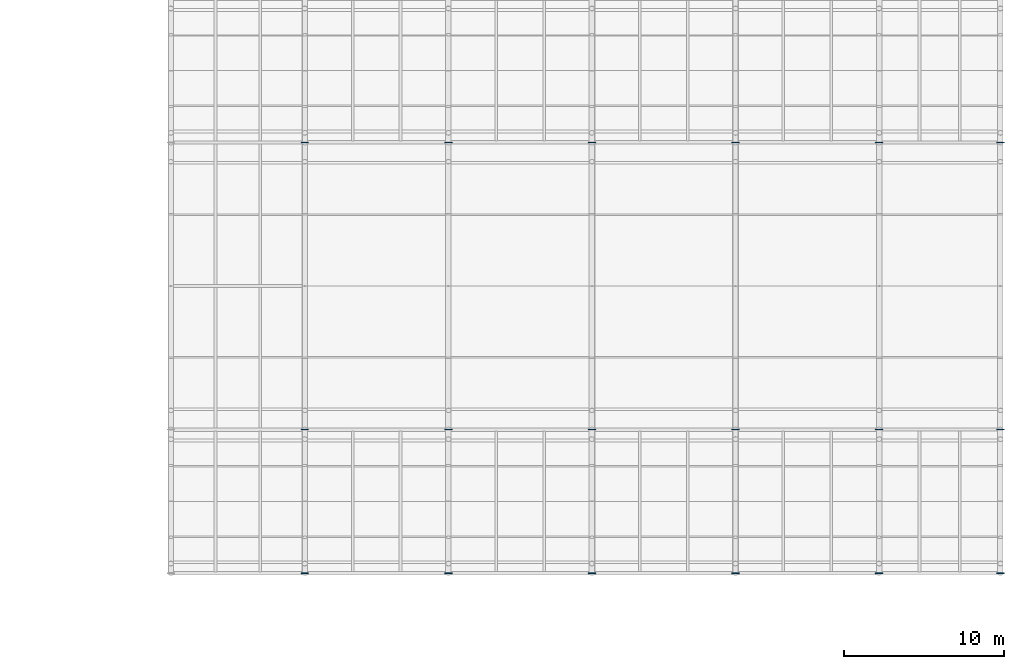
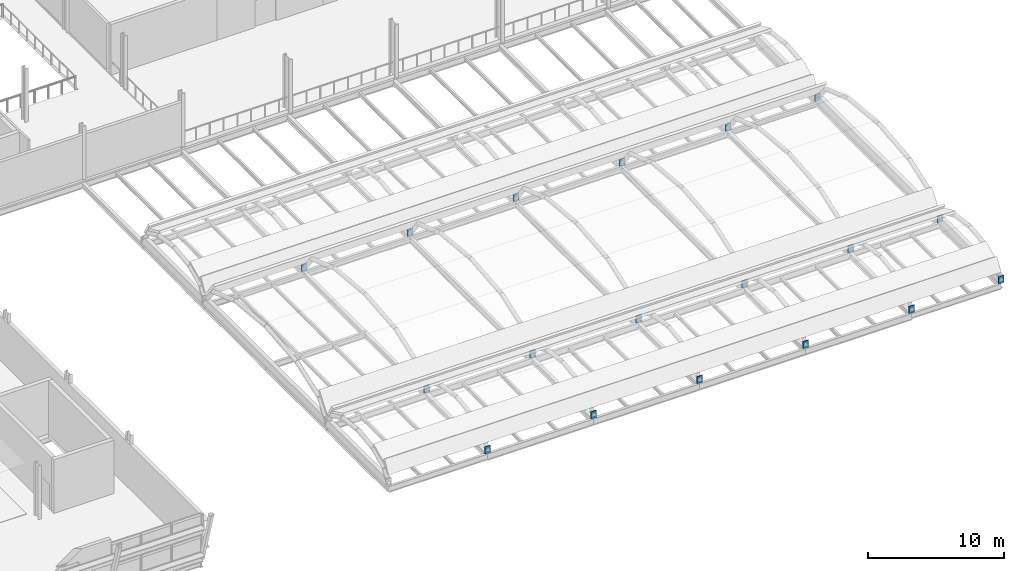
# One storey, part 44 of 63: 18 plates.
"""IFC4 building model written with IfcOpenShell, lengths in metres."""

from ifc_helpers import new_model, si_unit, direction, frame, origin, origin_2d, place, context, subcontext, project, spatial, rectangle, extrude, material, layer, layer_set, type_object, element, save


model = new_model("IFC4")

# Units and contexts
model_context = context("Model", 3, precision=1e-05, world=origin(), true_north=direction((0.0, 1.0)))
body_context = subcontext(model_context, "Body", "Model", "MODEL_VIEW")
ifc_project = project(units=[si_unit("LENGTHUNIT", "METRE"), si_unit("AREAUNIT", "SQUARE_METRE"), si_unit("VOLUMEUNIT", "CUBIC_METRE"), si_unit("PLANEANGLEUNIT", "RADIAN"), si_unit("MASSUNIT", "GRAM", prefix="KILO")], contexts=[model_context])

# Site, building, storey
site_placement = place(None, origin())
site = spatial("IfcSite", under=ifc_project, at=site_placement, CompositionType="ELEMENT")
building_placement = place(site_placement, origin())
building = spatial("IfcBuilding", under=site, at=building_placement, Name="Sefraquen Railside Congress Hotel", CompositionType="ELEMENT")
storey_placement = place(building_placement, frame((0.0, 0.0, 11.39990234375)))
storey = spatial("IfcBuildingStorey", under=building, at=storey_placement, Name="L02", CompositionType="ELEMENT", Elevation=11.39990234375)

# Plates
ifc_material = material(Name="Steel S355J2", Category="steel")
ifc_layer = layer(ifc_material, 0.050048828125)
ifc_layer_set = layer_set([ifc_layer], Name="Steel S355J2")
plate_type = type_object("IfcPlateType", Name="TP-BPL-01", PredefinedType="SHEET", material=ifc_layer_set)
for number, where, z_axis, x_axis, name in (
    (1, (128.39990234375, 9.0, -0.36962890625), (0.0, 0.0, 1.0), (1.0, 0.0, 0.0), "Thermal Spa vault springing base plate 2-9"),
    (2, (128.39990234375, 18.0, -0.36962890625), (0.0, 0.0, 1.0), (1.0, 0.0, 0.0), "Thermal Spa vault springing base plate 2-18"),
    (3, (137.39990234375, 9.0, -0.36962890625), (0.0, 0.0, 1.0), (1.0, 0.0, 0.0), "Thermal Spa vault springing base plate 3-9"),
    (4, (137.39990234375, 18.0, -0.36962890625), (0.0, 0.0, 1.0), (1.0, 0.0, 0.0), "Thermal Spa vault springing base plate 3-18"),
    (5, (146.39990234375, 9.0, -0.36962890625), (0.0, 0.0, 1.0), (1.0, 0.0, 0.0), "Thermal Spa vault springing base plate 4-9"),
    (6, (146.39990234375, 18.0, -0.36962890625), (0.0, 0.0, 1.0), (1.0, 0.0, 0.0), "Thermal Spa vault springing base plate 4-18"),
    (7, (155.39990234375, 9.0, -0.36962890625), (0.0, 0.0, 1.0), (1.0, 0.0, 0.0), "Thermal Spa vault springing base plate 5-9"),
    (8, (155.39990234375, 18.0, -0.36962890625), (0.0, 0.0, 1.0), (1.0, 0.0, 0.0), "Thermal Spa vault springing base plate 5-18"),
    (9, (164.39990234375, 9.0, -0.36962890625), (0.0, 0.0, 1.0), (1.0, 0.0, 0.0), "Thermal Spa vault springing base plate 6-9"),
    (10, (164.39990234375, 18.0, -0.36962890625), (0.0, 0.0, 1.0), (1.0, 0.0, 0.0), "Thermal Spa vault springing base plate 6-18"),
    (11, (172.0, 9.0, -0.36962890625), (0.0, 0.0, 1.0), (1.0, 0.0, 0.0), "Thermal Spa vault springing base plate 7-9"),
    (12, (172.0, 18.0, -0.36962890625), (0.0, 0.0, 1.0), (1.0, 0.0, 0.0), "Thermal Spa vault springing base plate 7-18"),
    (13, (128.39990234375, 36.0, -0.36962890625), (0.0, 0.0, 1.0), (1.0, 0.0, 0.0), "Thermal Spa vault springing base plate 2-36"),
    (14, (137.39990234375, 36.0, -0.36962890625), (0.0, 0.0, 1.0), (1.0, 0.0, 0.0), "Thermal Spa vault springing base plate 3-36"),
    (15, (146.39990234375, 36.0, -0.36962890625), (0.0, 0.0, 1.0), (1.0, 0.0, 0.0), "Thermal Spa vault springing base plate 4-36"),
    (16, (155.39990234375, 36.0, -0.36962890625), (0.0, 0.0, 1.0), (1.0, 0.0, 0.0), "Thermal Spa vault springing base plate 5-36"),
    (17, (164.39990234375, 36.0, -0.36962890625), (0.0, 0.0, 1.0), (1.0, 0.0, 0.0), "Thermal Spa vault springing base plate 6-36"),
    (18, (172.0, 36.0, -0.36962890625), (0.0, 0.0, 1.0), (1.0, 0.0, 0.0), "Thermal Spa vault springing base plate 7-36"),
):
    element("IfcPlate", number, at=place(storey_placement, frame(where, z_axis=z_axis, x_axis=x_axis)), inside=storey, type_object=plate_type, Name=name, PredefinedType="SHEET", context=body_context, shape_type="SweptSolid", body=[
        extrude(rectangle(XDim=0.4599609375, YDim=0.050048828125, at=origin_2d()), origin(), (0.0, 0.0, 1.0), 0.659912109375),
    ])

save(model, "model.ifc")
